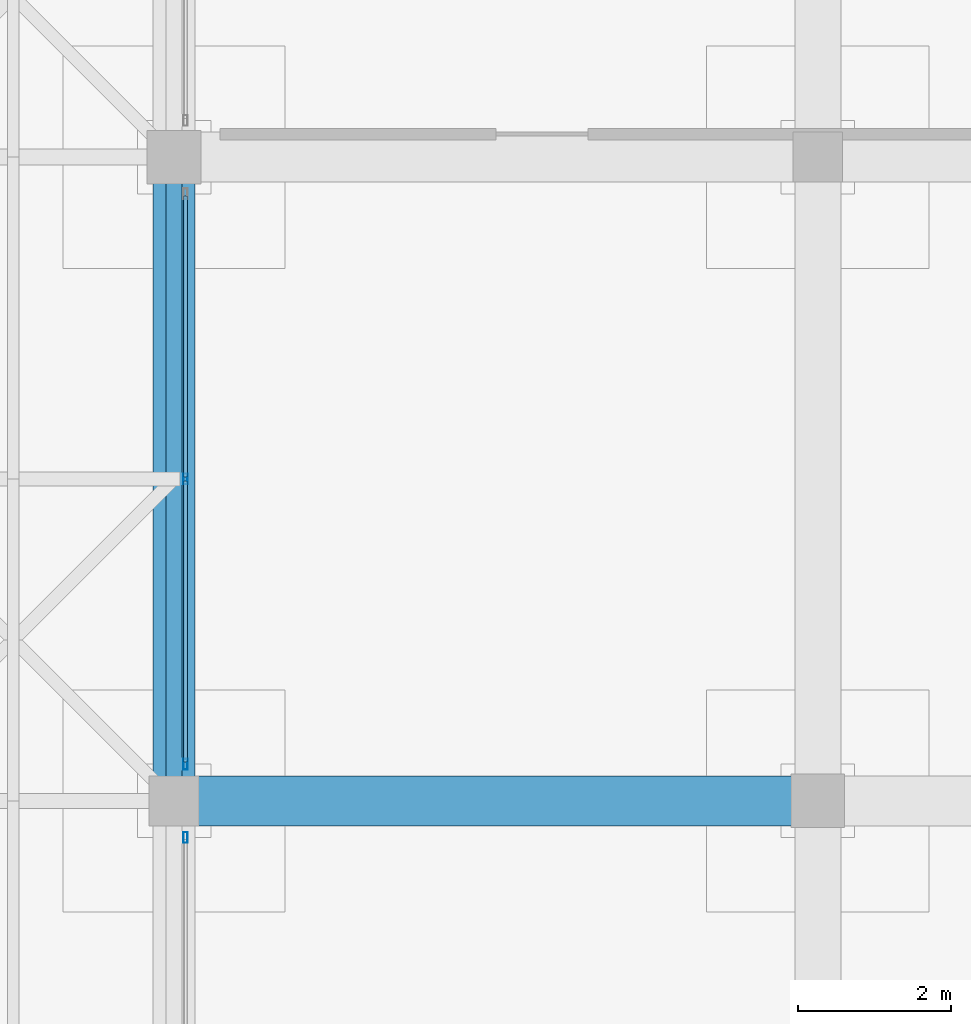
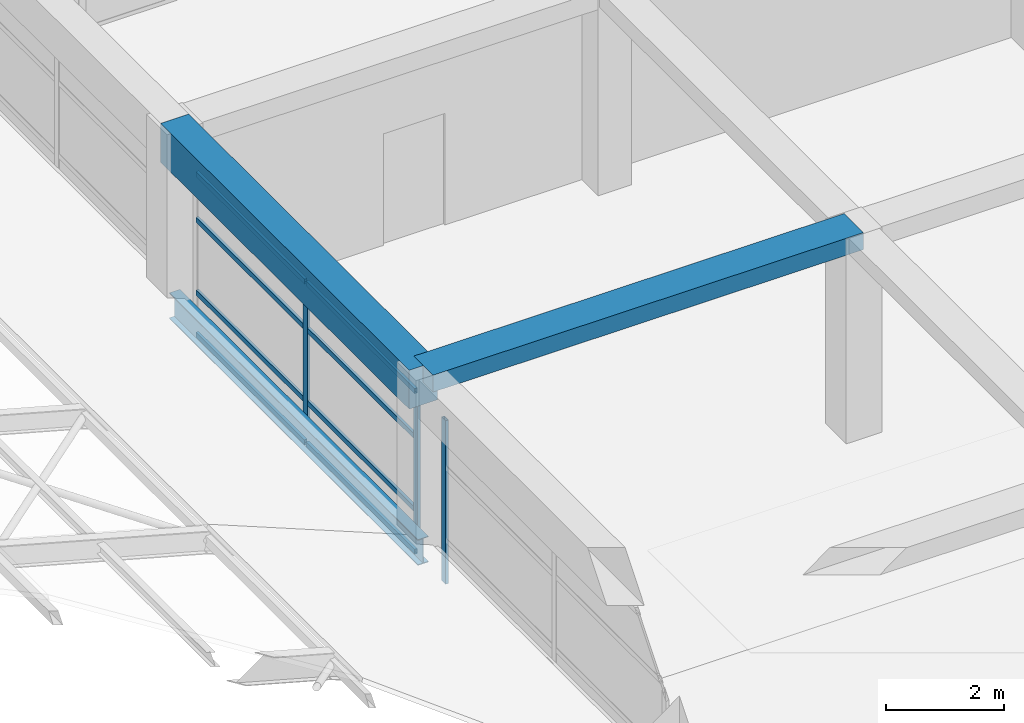
# One storey, part 43 of 85: 11 members, 3 beams, 2 elements without a shape of their own.
"""IFC4 building model written with IfcOpenShell, lengths in metres."""

import ifcopenshell
import ifcopenshell.guid

model = None  # the IFC model being written
_history = None  # IfcOwnerHistory: only IFC2X3 demands one
_inside = {}  # id of a spatial element -> (the spatial element, [elements in it])
_under = {}  # id of a project, library or spatial element -> (it, [spatial elements below it])
_declared = {}  # id of a project -> (the project, [libraries it declares])
_typed = {}  # id of a type object -> (the type object, [elements of that type])
_made_of = {}  # id of a material, layer set ... -> (it, [elements and type objects made of it])


def new_model(schema):
    """Start an empty IFC model of exactly this schema.

    Asked for "IFC4X3", IfcOpenShell would pick the latest addendum, in which some entities
    have other attributes; the version numbers below select the first issue.
    IFC2X3 requires an IfcOwnerHistory on every rooted entity: one is made here for all.
    """
    global model, _history
    if schema == "IFC4X3":
        model = ifcopenshell.file(schema_version=(4, 3, 0, 0))
    else:
        model = ifcopenshell.file(schema=schema)
    _inside.clear()
    _under.clear()
    _declared.clear()
    _typed.clear()
    _made_of.clear()
    _history = None
    if model.schema == "IFC2X3":
        org = make("IfcOrganization", Name="unknown")
        user = make(
            "IfcPersonAndOrganization",
            ThePerson=make("IfcPerson", FamilyName="unknown"),
            TheOrganization=org,
        )
        app = make(
            "IfcApplication",
            ApplicationDeveloper=org,
            Version="unknown",
            ApplicationFullName="unknown",
            ApplicationIdentifier="unknown",
        )
        _history = make(
            "IfcOwnerHistory",
            OwningUser=user,
            OwningApplication=app,
            ChangeAction="ADDED",
            CreationDate=0,
        )
    return model


def make(cls, **values):
    """One entity of the class cls with the attributes given. An attribute that is None is left unset."""
    return model.create_entity(
        cls, **{name: value for name, value in values.items() if value is not None}
    )


def rooted(cls, **values):
    """An entity with a GlobalId (a new one), such as an element, a storey or a relation."""
    return make(cls, GlobalId=ifcopenshell.guid.new(), OwnerHistory=_history, **values)


def si_unit(unit_type, name, prefix=None):
    """IfcSIUnit, for example si_unit("LENGTHUNIT", "METRE", prefix="MILLI")."""
    return make("IfcSIUnit", UnitType=unit_type, Prefix=prefix, Name=name)


def assignment(units):
    """IfcUnitAssignment: the units of a project."""
    return None if units is None else make("IfcUnitAssignment", Units=units)


def point(xyz):
    """IfcCartesianPoint."""
    return None if xyz is None else make("IfcCartesianPoint", Coordinates=xyz)


def direction(xyz):
    """IfcDirection."""
    return None if xyz is None else make("IfcDirection", DirectionRatios=xyz)


def frame(location, z_axis=None, x_axis=None):
    """IfcAxis2Placement3D, a coordinate frame: its origin and axes. An axis left out is left unset."""
    return make(
        "IfcAxis2Placement3D",
        Location=point(location),
        Axis=direction(z_axis),
        RefDirection=direction(x_axis),
    )


def frame_2d(location, x_axis=None):
    """IfcAxis2Placement2D, a coordinate frame in the plane: its origin and x axis."""
    return make(
        "IfcAxis2Placement2D", Location=point(location), RefDirection=direction(x_axis)
    )


def origin():
    """The frame at (0, 0, 0) with its axes left unset."""
    return frame((0.0, 0.0, 0.0))


def origin_2d():
    """The frame at (0, 0) in the plane with its x axis left unset."""
    return frame_2d((0.0, 0.0))


def place(relative_to, where):
    """IfcLocalPlacement: puts the frame where relative to a parent placement (None: the world)."""
    return make(
        "IfcLocalPlacement", PlacementRelTo=relative_to, RelativePlacement=where
    )


def context(
    kind, dimensions, precision=None, world=None, true_north=None, identifier=None
):
    """IfcGeometricRepresentationContext, for example the 3D "Model" context."""
    return make(
        "IfcGeometricRepresentationContext",
        ContextIdentifier=identifier,
        ContextType=kind,
        CoordinateSpaceDimension=dimensions,
        Precision=precision,
        WorldCoordinateSystem=world,
        TrueNorth=true_north,
    )


def subcontext(parent, identifier, kind, view, scale=None):
    """IfcGeometricRepresentationSubContext, for example "Body" below "Model"."""
    return make(
        "IfcGeometricRepresentationSubContext",
        ContextIdentifier=identifier,
        ContextType=kind,
        ParentContext=parent,
        TargetScale=scale,
        TargetView=view,
    )


def project(units=None, contexts=None):
    """IfcProject with its units and contexts."""
    return rooted(
        "IfcProject",
        Name="project",
        RepresentationContexts=contexts,
        UnitsInContext=assignment(units),
    )


def spatial(cls, under=None, at=None, **own):
    """A site, building, storey or space (cls), placed at a placement, below another one or the project."""
    s = rooted(cls, ObjectPlacement=at, **own)
    if under is not None:
        _under.setdefault(under.id(), (under, []))[1].append(s)
    return s


def profile(cls, at=None, kind="AREA", **sizes):
    """A parametric profile (cls). Its sizes go by their IFC names, for example OverallWidth=200.0."""
    return make(cls, ProfileType=kind, Position=at, **sizes)


def rectangle(**sizes):
    """IfcRectangleProfileDef."""
    return profile("IfcRectangleProfileDef", **sizes)


def hollow_rectangle(**sizes):
    """IfcRectangleHollowProfileDef."""
    return profile("IfcRectangleHollowProfileDef", **sizes)


def i_section(**sizes):
    """IfcIShapeProfileDef."""
    return profile("IfcIShapeProfileDef", **sizes)


def extrude(swept, where, along, depth):
    """IfcExtrudedAreaSolid: the profile swept, set in the frame where, extruded along a direction by depth."""
    return make(
        "IfcExtrudedAreaSolid",
        SweptArea=swept,
        Position=where,
        ExtrudedDirection=direction(along),
        Depth=depth,
    )


def shape(context_of_items, identifier, shape_type, items):
    """IfcShapeRepresentation: the items that make up one representation, for example the "Body"."""
    return make(
        "IfcShapeRepresentation",
        ContextOfItems=context_of_items,
        RepresentationIdentifier=identifier,
        RepresentationType=shape_type,
        Items=items,
    )


def material(Name=None, Category=None):
    """IfcMaterial."""
    return make("IfcMaterial", Name=Name, Category=Category)


def material_profile(
    of_material, cross_section, Name=None, Category=None, Priority=None
):
    """IfcMaterialProfile: a cross section and its material."""
    return make(
        "IfcMaterialProfile",
        Name=Name,
        Material=of_material,
        Profile=cross_section,
        Priority=Priority,
        Category=Category,
    )


def profile_set(profiles, Name=None, composite=None):
    """IfcMaterialProfileSet."""
    return make(
        "IfcMaterialProfileSet",
        Name=Name,
        MaterialProfiles=profiles,
        CompositeProfile=composite,
    )


def made_of(thing, what):
    """Note that an element or type object is made of a material, layer set ...; save() writes the relation."""
    if what is not None:
        _made_of.setdefault(what.id(), (what, []))[1].append(thing)
    return thing


def type_object(cls, material=None, **own):
    """A type object (cls), such as IfcWallType, which elements share."""
    return made_of(rooted(cls, **own), material)


def element(
    cls,
    number,
    at=None,
    inside=None,
    cuts=None,
    type_object=None,
    material=None,
    context=None,
    identifier="Body",
    shape_type=None,
    held_by="IfcProductDefinitionShape",
    body=None,
    shapes=None,
    **own,
):
    """One element of the class cls, such as IfcWall. Its Tag is "e" and its number.

    at: its placement. inside: the storey or other place that contains it. cuts: it is an
    opening in that element (IfcRelVoidsElement). A single representation is given by context,
    identifier, shape_type and body (its items); several are given by shapes. held_by: the class
    of the entity that holds the representations. save() writes the other relations.
    """
    e = rooted(cls, Tag="e%d" % number, ObjectPlacement=at, **own)
    if body is not None:
        shapes = [shape(context, identifier, shape_type, body)]
    if shapes is not None:
        e.Representation = make(held_by, Representations=shapes)
    if inside is not None:
        _inside.setdefault(inside.id(), (inside, []))[1].append(e)
    if cuts is not None:
        rooted(
            "IfcRelVoidsElement", RelatingBuildingElement=cuts, RelatedOpeningElement=e
        )
    if type_object is not None:
        _typed.setdefault(type_object.id(), (type_object, []))[1].append(e)
    return made_of(e, material)


def aggregate(whole, parts):
    """IfcRelAggregates: a whole, such as a stair, and the parts it consists of."""
    return rooted("IfcRelAggregates", RelatingObject=whole, RelatedObjects=parts)


def save(model, path):
    """Write the relations noted so far, then the file.

    IfcRelAggregates (storeys below a building ...), IfcRelContainedInSpatialStructure (elements
    in a storey), IfcRelDefinesByType, IfcRelAssociatesMaterial and IfcRelDeclares: one each for
    every whole, place, type object, material and project.
    """
    for whole, parts in _under.values():
        aggregate(whole, parts)
    for where, things in _inside.values():
        rooted(
            "IfcRelContainedInSpatialStructure",
            RelatedElements=things,
            RelatingStructure=where,
        )
    for kind, things in _typed.values():
        rooted("IfcRelDefinesByType", RelatedObjects=things, RelatingType=kind)
    for what, things in _made_of.values():
        rooted("IfcRelAssociatesMaterial", RelatedObjects=things, RelatingMaterial=what)
    for by, libraries in _declared.values():
        rooted("IfcRelDeclares", RelatingContext=by, RelatedDefinitions=libraries)
    model.write(path)


model = new_model("IFC4")

# Units and contexts
model_context = context("Model", 3, precision=1e-05, world=origin(), true_north=direction((0.0, 1.0)))
body_context = subcontext(model_context, "Body", "Model", "MODEL_VIEW")
ifc_project = project(units=[si_unit("LENGTHUNIT", "METRE"), si_unit("AREAUNIT", "SQUARE_METRE"), si_unit("VOLUMEUNIT", "CUBIC_METRE"), si_unit("PLANEANGLEUNIT", "RADIAN"), si_unit("MASSUNIT", "GRAM", prefix="KILO")], contexts=[model_context])

# Site, building, storey
site_placement = place(None, origin())
site = spatial("IfcSite", under=ifc_project, at=site_placement, CompositionType="ELEMENT")
building_placement = place(site_placement, origin())
building = spatial("IfcBuilding", under=site, at=building_placement, Name="Almacenes y Pasaje Nevantli", CompositionType="ELEMENT")
storey_placement = place(building_placement, frame((0.0, 0.0, 22.199951171875)))
storey = spatial("IfcBuildingStorey", under=building, at=storey_placement, Name="L05", CompositionType="ELEMENT", Elevation=22.199951171875)

# Beams
ifc_material_1 = material(Name="Concrete C35/45", Category="concrete")
ifc_material_profile_1 = material_profile(ifc_material_1, rectangle(XDim=0.550048828125, YDim=0.800048828125, at=origin_2d()), Name="RC-BM-550x800")
ifc_profile_set_1 = profile_set([ifc_material_profile_1], Name="Concrete C35/45")
beam_type_1 = type_object("IfcBeamType", Name="BM-RC-550x800", PredefinedType="BEAM", material=ifc_profile_set_1)
beam_1_placement = place(storey_placement, frame((92.39990234375, 100.800048828125, 3.820068359375), z_axis=(0.0, 1.0, 0.0), x_axis=(-1.0, 0.0, 0.0)))
element("IfcBeam", 1, at=beam_1_placement, inside=storey, type_object=beam_type_1, Name="L05 North-South Reinforced Concrete Beam #3476", PredefinedType="BEAM", context=body_context, shape_type="SweptSolid", body=[
    extrude(rectangle(XDim=0.550048828125, YDim=0.800048828125, at=origin_2d()), origin(), (0.0, 0.0, 1.0), 8.39990234375),
])
ifc_material_2 = material(Name="Concrete C35/45", Category="concrete")
ifc_material_profile_2 = material_profile(ifc_material_2, rectangle(XDim=0.64990234375, YDim=0.35009765625, at=origin_2d()), Name="RC-BM-650x350")
ifc_profile_set_2 = profile_set([ifc_material_profile_2], Name="Concrete C35/45")
beam_type_2 = type_object("IfcBeamType", Name="BM-RC-650x350", PredefinedType="BEAM", material=ifc_profile_set_2)
beam_2_placement = place(storey_placement, frame((92.39990234375, 100.800048828125, 4.045166015625), z_axis=(1.0, 0.0, 0.0), x_axis=(0.0, 1.0, 0.0)))
element("IfcBeam", 2, at=beam_2_placement, inside=storey, type_object=beam_type_2, Name="L05 East-West Reinforced Concrete Beam #3379", PredefinedType="BEAM", context=body_context, shape_type="SweptSolid", body=[
    extrude(rectangle(XDim=0.64990234375, YDim=0.35009765625, at=origin_2d()), origin(), (0.0, 0.0, 1.0), 8.400146484375),
])
ifc_material_3 = material(Name="Steel ASTM A992", Category="steel")
ifc_material_profile_3 = material_profile(ifc_material_3, i_section(OverallWidth=0.208984375, OverallDepth=0.532958984375, WebThickness=0.01025390625, FlangeThickness=0.015625, at=origin_2d()), Name="IR 533x92.5")
ifc_profile_set_3 = profile_set([ifc_material_profile_3], Name="Steel ASTM A992")
beam_type_3 = type_object("IfcBeamType", Name="BM-STL-IR-533x92p5", PredefinedType="BEAM", material=ifc_profile_set_3)
beam_3_placement = place(storey_placement, frame((92.39990234375, 100.800048828125, 0.400146484375), z_axis=(0.0, 1.0, 0.0), x_axis=(-1.0, 0.0, 0.0)))
element("IfcBeam", 3, at=beam_3_placement, inside=storey, type_object=beam_type_3, Name="L05 Arcade Barrel Vault Eave Steel Girder #2.13", PredefinedType="BEAM", context=body_context, shape_type="SweptSolid", body=[
    extrude(i_section(OverallWidth=0.208984375, OverallDepth=0.532958984375, WebThickness=0.01025390625, FlangeThickness=0.015625, at=origin_2d()), origin(), (0.0, 0.0, 1.0), 8.39990234375),
])

# Curtain wall, member
ifc_material_4 = material(Name="Thermally Broken Aluminium and Low-E Glass", Category="aluminium")
curtain_wall_type = type_object("IfcCurtainWallType", Name="CW-UNIT-PODIUM", PredefinedType="USERDEFINED", material=ifc_material_4)
curtain_wall_1_placement = place(storey_placement, origin())
curtain_wall_1 = element("IfcCurtainWall", 4, at=curtain_wall_1_placement, inside=storey, type_object=curtain_wall_type, Name="L05 Sky-Lobby West Arcade View Curtain Wall Bay 12", ObjectType="UNITIZED CURTAIN WALL", PredefinedType="USERDEFINED")
ifc_material_5 = material(Name="Thermally Broken Anodized Aluminium", Category="aluminium")
ifc_material_profile_4 = material_profile(ifc_material_5, hollow_rectangle(XDim=0.054931640625, YDim=0.139892578125, WallThickness=0.00341796875, at=origin_2d()), Name="ALU-MUL-55x140")
ifc_profile_set_4 = profile_set([ifc_material_profile_4], Name="Thermally Broken Anodized Aluminium")
member_type_1 = type_object("IfcMemberType", Name="CW-MUL-160", PredefinedType="MULLION", material=ifc_profile_set_4)
member_1_placement = place(storey_placement, frame((92.550048828125, 100.322509765625, 0.0), z_axis=(0.0, 0.0, 1.0), x_axis=(-1.0, 0.0, 0.0)))
member_1 = element("IfcMember", 5, at=member_1_placement, type_object=member_type_1, Name="CW-L05-099 mullion 3", PredefinedType="MULLION", context=body_context, shape_type="SweptSolid", body=[
    extrude(hollow_rectangle(XDim=0.054931640625, YDim=0.139892578125, WallThickness=0.00341796875, at=origin_2d()), origin(), (0.0, 0.0, 1.0), 3.3701171875),
])
aggregate(curtain_wall_1, [member_1])

# Curtain wall, members
curtain_wall_2_placement = place(storey_placement, origin())
curtain_wall_2 = element("IfcCurtainWall", 6, at=curtain_wall_2_placement, inside=storey, type_object=curtain_wall_type, Name="L05 Sky-Lobby West Arcade View Curtain Wall Bay 13", ObjectType="UNITIZED CURTAIN WALL", PredefinedType="USERDEFINED")
member_2_placement = place(storey_placement, frame((92.550048828125, 101.277587890625, 0.0), z_axis=(0.0, 0.0, 1.0), x_axis=(-1.0, 0.0, 0.0)))
member_2 = element("IfcMember", 7, at=member_2_placement, type_object=member_type_1, Name="CW-L05-100 mullion 1", PredefinedType="MULLION", context=body_context, shape_type="SweptSolid", body=[
    extrude(hollow_rectangle(XDim=0.054931640625, YDim=0.139892578125, WallThickness=0.00341796875, at=origin_2d()), origin(), (0.0, 0.0, 1.0), 3.3701171875),
])
member_3_placement = place(storey_placement, frame((92.550048828125, 105.0, 0.0), z_axis=(0.0, 0.0, 1.0), x_axis=(-1.0, 0.0, 0.0)))
member_3 = element("IfcMember", 8, at=member_3_placement, type_object=member_type_1, Name="CW-L05-100 mullion 2", PredefinedType="MULLION", context=body_context, shape_type="SweptSolid", body=[
    extrude(hollow_rectangle(XDim=0.054931640625, YDim=0.139892578125, WallThickness=0.00341796875, at=origin_2d()), origin(), (0.0, 0.0, 1.0), 3.3701171875),
])
ifc_material_6 = material(Name="Thermally Broken Anodized Aluminium", Category="aluminium")
ifc_material_profile_5 = material_profile(ifc_material_6, hollow_rectangle(XDim=0.054931640625, YDim=0.10498046875, WallThickness=0.003173828125, at=origin_2d()), Name="ALU-TRN-55x105")
ifc_profile_set_5 = profile_set([ifc_material_profile_5], Name="Thermally Broken Anodized Aluminium")
member_type_2 = type_object("IfcMemberType", Name="CW-TRN-120", PredefinedType="USERDEFINED", material=ifc_profile_set_5)
member_4_placement = place(storey_placement, frame((92.550048828125, 101.304931640625, 0.027587890625), z_axis=(0.0, 1.0, 0.0), x_axis=(-1.0, 0.0, 0.0)))
member_4 = element("IfcMember", 9, at=member_4_placement, type_object=member_type_2, Name="CW-L05-100 transom 1.1", ObjectType="TRANSOM", PredefinedType="USERDEFINED", context=body_context, shape_type="SweptSolid", body=[
    extrude(hollow_rectangle(XDim=0.054931640625, YDim=0.10498046875, WallThickness=0.003173828125, at=origin_2d()), origin(), (0.0, 0.0, 1.0), 3.66748046875),
])
member_5_placement = place(storey_placement, frame((92.550048828125, 101.304931640625, 0.900146484375), z_axis=(0.0, 1.0, 0.0), x_axis=(-1.0, 0.0, 0.0)))
member_5 = element("IfcMember", 10, at=member_5_placement, type_object=member_type_2, Name="CW-L05-100 transom 1.2", ObjectType="TRANSOM", PredefinedType="USERDEFINED", context=body_context, shape_type="SweptSolid", body=[
    extrude(hollow_rectangle(XDim=0.054931640625, YDim=0.10498046875, WallThickness=0.003173828125, at=origin_2d()), origin(), (0.0, 0.0, 1.0), 3.66748046875),
])
member_6_placement = place(storey_placement, frame((92.550048828125, 101.304931640625, 2.400146484375), z_axis=(0.0, 1.0, 0.0), x_axis=(-1.0, 0.0, 0.0)))
member_6 = element("IfcMember", 11, at=member_6_placement, type_object=member_type_2, Name="CW-L05-100 transom 1.3", ObjectType="TRANSOM", PredefinedType="USERDEFINED", context=body_context, shape_type="SweptSolid", body=[
    extrude(hollow_rectangle(XDim=0.054931640625, YDim=0.10498046875, WallThickness=0.003173828125, at=origin_2d()), origin(), (0.0, 0.0, 1.0), 3.66748046875),
])
member_7_placement = place(storey_placement, frame((92.550048828125, 101.304931640625, 3.342529296875), z_axis=(0.0, 1.0, 0.0), x_axis=(-1.0, 0.0, 0.0)))
member_7 = element("IfcMember", 12, at=member_7_placement, type_object=member_type_2, Name="CW-L05-100 transom 1.4", ObjectType="TRANSOM", PredefinedType="USERDEFINED", context=body_context, shape_type="SweptSolid", body=[
    extrude(hollow_rectangle(XDim=0.054931640625, YDim=0.10498046875, WallThickness=0.003173828125, at=origin_2d()), origin(), (0.0, 0.0, 1.0), 3.66748046875),
])
member_8_placement = place(storey_placement, frame((92.550048828125, 105.027587890625, 0.027587890625), z_axis=(0.0, 1.0, 0.0), x_axis=(-1.0, 0.0, 0.0)))
member_8 = element("IfcMember", 13, at=member_8_placement, type_object=member_type_2, Name="CW-L05-100 transom 2.1", ObjectType="TRANSOM", PredefinedType="USERDEFINED", context=body_context, shape_type="SweptSolid", body=[
    extrude(hollow_rectangle(XDim=0.054931640625, YDim=0.10498046875, WallThickness=0.003173828125, at=origin_2d()), origin(), (0.0, 0.0, 1.0), 3.66748046875),
])
member_9_placement = place(storey_placement, frame((92.550048828125, 105.027587890625, 0.900146484375), z_axis=(0.0, 1.0, 0.0), x_axis=(-1.0, 0.0, 0.0)))
member_9 = element("IfcMember", 14, at=member_9_placement, type_object=member_type_2, Name="CW-L05-100 transom 2.2", ObjectType="TRANSOM", PredefinedType="USERDEFINED", context=body_context, shape_type="SweptSolid", body=[
    extrude(hollow_rectangle(XDim=0.054931640625, YDim=0.10498046875, WallThickness=0.003173828125, at=origin_2d()), origin(), (0.0, 0.0, 1.0), 3.66748046875),
])
member_10_placement = place(storey_placement, frame((92.550048828125, 105.027587890625, 2.400146484375), z_axis=(0.0, 1.0, 0.0), x_axis=(-1.0, 0.0, 0.0)))
member_10 = element("IfcMember", 15, at=member_10_placement, type_object=member_type_2, Name="CW-L05-100 transom 2.3", ObjectType="TRANSOM", PredefinedType="USERDEFINED", context=body_context, shape_type="SweptSolid", body=[
    extrude(hollow_rectangle(XDim=0.054931640625, YDim=0.10498046875, WallThickness=0.003173828125, at=origin_2d()), origin(), (0.0, 0.0, 1.0), 3.66748046875),
])
member_11_placement = place(storey_placement, frame((92.550048828125, 105.027587890625, 3.342529296875), z_axis=(0.0, 1.0, 0.0), x_axis=(-1.0, 0.0, 0.0)))
member_11 = element("IfcMember", 16, at=member_11_placement, type_object=member_type_2, Name="CW-L05-100 transom 2.4", ObjectType="TRANSOM", PredefinedType="USERDEFINED", context=body_context, shape_type="SweptSolid", body=[
    extrude(hollow_rectangle(XDim=0.054931640625, YDim=0.10498046875, WallThickness=0.003173828125, at=origin_2d()), origin(), (0.0, 0.0, 1.0), 3.66748046875),
])
aggregate(curtain_wall_2, [member_2, member_3, member_4, member_5, member_6, member_7, member_8, member_9, member_10, member_11])

save(model, "model.ifc")
